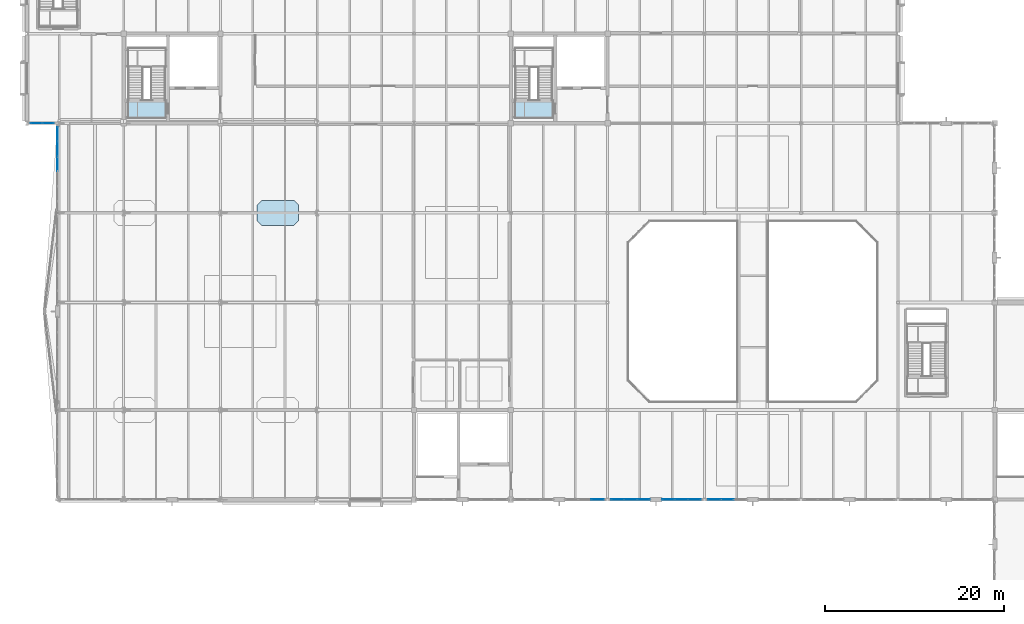
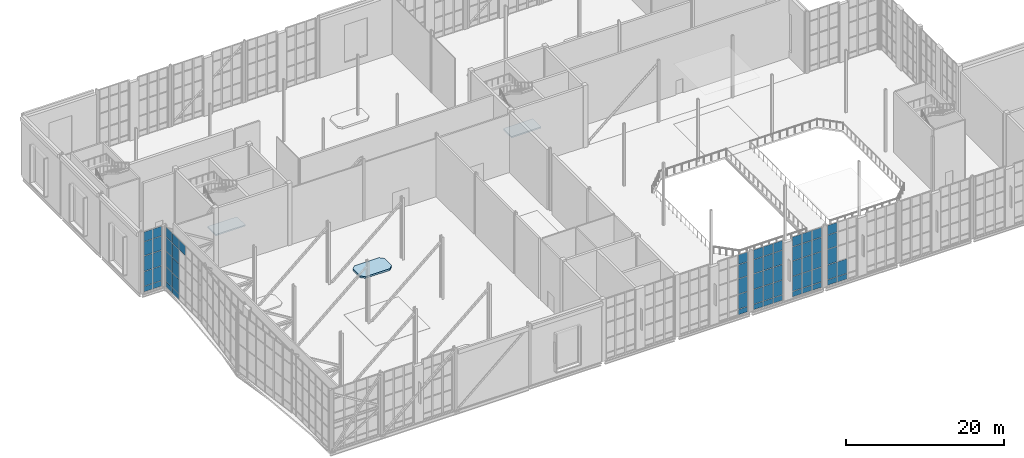
# One storey, part 65 of 100: 63 plates, 3 slabs, 8 elements without a shape of their own.
"""IFC4 building model written with IfcOpenShell, lengths in metres."""

import ifcopenshell
import ifcopenshell.guid

model = None  # the IFC model being written
_history = None  # IfcOwnerHistory: only IFC2X3 demands one
_inside = {}  # id of a spatial element -> (the spatial element, [elements in it])
_under = {}  # id of a project, library or spatial element -> (it, [spatial elements below it])
_declared = {}  # id of a project -> (the project, [libraries it declares])
_typed = {}  # id of a type object -> (the type object, [elements of that type])
_made_of = {}  # id of a material, layer set ... -> (it, [elements and type objects made of it])


def new_model(schema):
    """Start an empty IFC model of exactly this schema.

    Asked for "IFC4X3", IfcOpenShell would pick the latest addendum, in which some entities
    have other attributes; the version numbers below select the first issue.
    IFC2X3 requires an IfcOwnerHistory on every rooted entity: one is made here for all.
    """
    global model, _history
    if schema == "IFC4X3":
        model = ifcopenshell.file(schema_version=(4, 3, 0, 0))
    else:
        model = ifcopenshell.file(schema=schema)
    _inside.clear()
    _under.clear()
    _declared.clear()
    _typed.clear()
    _made_of.clear()
    _history = None
    if model.schema == "IFC2X3":
        org = make("IfcOrganization", Name="unknown")
        user = make(
            "IfcPersonAndOrganization",
            ThePerson=make("IfcPerson", FamilyName="unknown"),
            TheOrganization=org,
        )
        app = make(
            "IfcApplication",
            ApplicationDeveloper=org,
            Version="unknown",
            ApplicationFullName="unknown",
            ApplicationIdentifier="unknown",
        )
        _history = make(
            "IfcOwnerHistory",
            OwningUser=user,
            OwningApplication=app,
            ChangeAction="ADDED",
            CreationDate=0,
        )
    return model


def make(cls, **values):
    """One entity of the class cls with the attributes given. An attribute that is None is left unset."""
    return model.create_entity(
        cls, **{name: value for name, value in values.items() if value is not None}
    )


def rooted(cls, **values):
    """An entity with a GlobalId (a new one), such as an element, a storey or a relation."""
    return make(cls, GlobalId=ifcopenshell.guid.new(), OwnerHistory=_history, **values)


def si_unit(unit_type, name, prefix=None):
    """IfcSIUnit, for example si_unit("LENGTHUNIT", "METRE", prefix="MILLI")."""
    return make("IfcSIUnit", UnitType=unit_type, Prefix=prefix, Name=name)


def assignment(units):
    """IfcUnitAssignment: the units of a project."""
    return None if units is None else make("IfcUnitAssignment", Units=units)


def point(xyz):
    """IfcCartesianPoint."""
    return None if xyz is None else make("IfcCartesianPoint", Coordinates=xyz)


def direction(xyz):
    """IfcDirection."""
    return None if xyz is None else make("IfcDirection", DirectionRatios=xyz)


def frame(location, z_axis=None, x_axis=None):
    """IfcAxis2Placement3D, a coordinate frame: its origin and axes. An axis left out is left unset."""
    return make(
        "IfcAxis2Placement3D",
        Location=point(location),
        Axis=direction(z_axis),
        RefDirection=direction(x_axis),
    )


def frame_2d(location, x_axis=None):
    """IfcAxis2Placement2D, a coordinate frame in the plane: its origin and x axis."""
    return make(
        "IfcAxis2Placement2D", Location=point(location), RefDirection=direction(x_axis)
    )


def origin():
    """The frame at (0, 0, 0) with its axes left unset."""
    return frame((0.0, 0.0, 0.0))


def origin_2d():
    """The frame at (0, 0) in the plane with its x axis left unset."""
    return frame_2d((0.0, 0.0))


def place(relative_to, where):
    """IfcLocalPlacement: puts the frame where relative to a parent placement (None: the world)."""
    return make(
        "IfcLocalPlacement", PlacementRelTo=relative_to, RelativePlacement=where
    )


def context(
    kind, dimensions, precision=None, world=None, true_north=None, identifier=None
):
    """IfcGeometricRepresentationContext, for example the 3D "Model" context."""
    return make(
        "IfcGeometricRepresentationContext",
        ContextIdentifier=identifier,
        ContextType=kind,
        CoordinateSpaceDimension=dimensions,
        Precision=precision,
        WorldCoordinateSystem=world,
        TrueNorth=true_north,
    )


def subcontext(parent, identifier, kind, view, scale=None):
    """IfcGeometricRepresentationSubContext, for example "Body" below "Model"."""
    return make(
        "IfcGeometricRepresentationSubContext",
        ContextIdentifier=identifier,
        ContextType=kind,
        ParentContext=parent,
        TargetScale=scale,
        TargetView=view,
    )


def project(units=None, contexts=None):
    """IfcProject with its units and contexts."""
    return rooted(
        "IfcProject",
        Name="project",
        RepresentationContexts=contexts,
        UnitsInContext=assignment(units),
    )


def spatial(cls, under=None, at=None, **own):
    """A site, building, storey or space (cls), placed at a placement, below another one or the project."""
    s = rooted(cls, ObjectPlacement=at, **own)
    if under is not None:
        _under.setdefault(under.id(), (under, []))[1].append(s)
    return s


def polyline(points):
    """IfcPolyline through the points."""
    return make("IfcPolyline", Points=[point(p) for p in points])


def profile(cls, at=None, kind="AREA", **sizes):
    """A parametric profile (cls). Its sizes go by their IFC names, for example OverallWidth=200.0."""
    return make(cls, ProfileType=kind, Position=at, **sizes)


def rectangle(**sizes):
    """IfcRectangleProfileDef."""
    return profile("IfcRectangleProfileDef", **sizes)


def outline(outer, holes=None, kind="AREA"):
    """IfcArbitraryClosedProfileDef: a profile drawn as a closed curve; with holes, ...WithVoids."""
    if holes is None:
        return make("IfcArbitraryClosedProfileDef", ProfileType=kind, OuterCurve=outer)
    return make(
        "IfcArbitraryProfileDefWithVoids",
        ProfileType=kind,
        OuterCurve=outer,
        InnerCurves=holes,
    )


def extrude(swept, where, along, depth):
    """IfcExtrudedAreaSolid: the profile swept, set in the frame where, extruded along a direction by depth."""
    return make(
        "IfcExtrudedAreaSolid",
        SweptArea=swept,
        Position=where,
        ExtrudedDirection=direction(along),
        Depth=depth,
    )


def shape(context_of_items, identifier, shape_type, items):
    """IfcShapeRepresentation: the items that make up one representation, for example the "Body"."""
    return make(
        "IfcShapeRepresentation",
        ContextOfItems=context_of_items,
        RepresentationIdentifier=identifier,
        RepresentationType=shape_type,
        Items=items,
    )


def material(Name=None, Category=None):
    """IfcMaterial."""
    return make("IfcMaterial", Name=Name, Category=Category)


def layer(
    of_material, thickness, ventilated=None, Name=None, Category=None, Priority=None
):
    """IfcMaterialLayer: one layer of a wall or slab, of a material (None: an air gap)."""
    return make(
        "IfcMaterialLayer",
        Material=of_material,
        LayerThickness=thickness,
        IsVentilated=ventilated,
        Name=Name,
        Category=Category,
        Priority=Priority,
    )


def layer_set(layers, Name=None):
    """IfcMaterialLayerSet."""
    return make("IfcMaterialLayerSet", MaterialLayers=layers, LayerSetName=Name)


def made_of(thing, what):
    """Note that an element or type object is made of a material, layer set ...; save() writes the relation."""
    if what is not None:
        _made_of.setdefault(what.id(), (what, []))[1].append(thing)
    return thing


def type_object(cls, material=None, **own):
    """A type object (cls), such as IfcWallType, which elements share."""
    return made_of(rooted(cls, **own), material)


def element(
    cls,
    number,
    at=None,
    inside=None,
    cuts=None,
    type_object=None,
    material=None,
    context=None,
    identifier="Body",
    shape_type=None,
    held_by="IfcProductDefinitionShape",
    body=None,
    shapes=None,
    **own,
):
    """One element of the class cls, such as IfcWall. Its Tag is "e" and its number.

    at: its placement. inside: the storey or other place that contains it. cuts: it is an
    opening in that element (IfcRelVoidsElement). A single representation is given by context,
    identifier, shape_type and body (its items); several are given by shapes. held_by: the class
    of the entity that holds the representations. save() writes the other relations.
    """
    e = rooted(cls, Tag="e%d" % number, ObjectPlacement=at, **own)
    if body is not None:
        shapes = [shape(context, identifier, shape_type, body)]
    if shapes is not None:
        e.Representation = make(held_by, Representations=shapes)
    if inside is not None:
        _inside.setdefault(inside.id(), (inside, []))[1].append(e)
    if cuts is not None:
        rooted(
            "IfcRelVoidsElement", RelatingBuildingElement=cuts, RelatedOpeningElement=e
        )
    if type_object is not None:
        _typed.setdefault(type_object.id(), (type_object, []))[1].append(e)
    return made_of(e, material)


def aggregate(whole, parts):
    """IfcRelAggregates: a whole, such as a stair, and the parts it consists of."""
    return rooted("IfcRelAggregates", RelatingObject=whole, RelatedObjects=parts)


def save(model, path):
    """Write the relations noted so far, then the file.

    IfcRelAggregates (storeys below a building ...), IfcRelContainedInSpatialStructure (elements
    in a storey), IfcRelDefinesByType, IfcRelAssociatesMaterial and IfcRelDeclares: one each for
    every whole, place, type object, material and project.
    """
    for whole, parts in _under.values():
        aggregate(whole, parts)
    for where, things in _inside.values():
        rooted(
            "IfcRelContainedInSpatialStructure",
            RelatedElements=things,
            RelatingStructure=where,
        )
    for kind, things in _typed.values():
        rooted("IfcRelDefinesByType", RelatedObjects=things, RelatingType=kind)
    for what, things in _made_of.values():
        rooted("IfcRelAssociatesMaterial", RelatedObjects=things, RelatingMaterial=what)
    for by, libraries in _declared.values():
        rooted("IfcRelDeclares", RelatingContext=by, RelatedDefinitions=libraries)
    model.write(path)


model = new_model("IFC4")

# Units and contexts
model_context = context("Model", 3, precision=1e-05, world=origin(), true_north=direction((0.0, 1.0)))
body_context = subcontext(model_context, "Body", "Model", "MODEL_VIEW")
ifc_project = project(units=[si_unit("LENGTHUNIT", "METRE"), si_unit("AREAUNIT", "SQUARE_METRE"), si_unit("VOLUMEUNIT", "CUBIC_METRE"), si_unit("PLANEANGLEUNIT", "RADIAN"), si_unit("MASSUNIT", "GRAM", prefix="KILO")], contexts=[model_context])

# Site, building, storey
site_placement = place(None, origin())
site = spatial("IfcSite", under=ifc_project, at=site_placement, CompositionType="ELEMENT")
building_placement = place(site_placement, origin())
building = spatial("IfcBuilding", under=site, at=building_placement, Name="Tasgan Crest Museum", CompositionType="ELEMENT")
storey_placement = place(building_placement, frame((0.0, 0.0, 14.39990234375)))
storey = spatial("IfcBuildingStorey", under=building, at=storey_placement, Name="L03", CompositionType="ELEMENT", Elevation=14.39990234375)

# Curtain wall, plates
ifc_material_1 = material(Name="Triple-Glazed Aluminium Curtain Wall", Category="aluminium")
ifc_layer_1 = layer(ifc_material_1, 0.179931640625, Name="CW-CANT-SIDE-96")
ifc_layer_set_1 = layer_set([ifc_layer_1], Name="Triple-Glazed Aluminium Curtain Wall")
curtain_wall_type_1 = type_object("IfcCurtainWallType", Name="CW-CANT-SIDE-96", PredefinedType="NOTDEFINED", material=ifc_layer_set_1)
curtain_wall_1_placement = place(storey_placement, origin())
curtain_wall_1 = element("IfcCurtainWall", 1, at=curtain_wall_1_placement, inside=storey, type_object=curtain_wall_type_1, Name="Curtain wall L03 137", PredefinedType="NOTDEFINED")
ifc_material_2 = material(Name="Insulated Spandrel Glass", Category="glass")
ifc_layer_2 = layer(ifc_material_2, 0.052001953125, Name="CW-PANEL-SPANDREL")
ifc_layer_set_2 = layer_set([ifc_layer_2], Name="Insulated Spandrel Glass")
plate_type_1 = type_object("IfcPlateType", Name="CW-PANEL-SPANDREL", PredefinedType="CURTAIN_PANEL", material=ifc_layer_set_2)
plate_1_placement = place(storey_placement, frame((1.047607421875, 82.0, 0.06005859375), z_axis=(0.0, 0.0, 1.0), x_axis=(1.0, 0.0, 0.0)))
plate_1 = element("IfcPlate", 2, at=plate_1_placement, type_object=plate_type_1, Name="CW12 panel 1.1", PredefinedType="CURTAIN_PANEL", context=body_context, shape_type="SweptSolid", body=[
    extrude(rectangle(XDim=1.2451171875, YDim=0.028076171875, at=origin_2d()), origin(), (0.0, 0.0, 1.0), 0.81005859375),
])
plate_2_placement = place(storey_placement, frame((2.3525390625, 82.0, 0.06005859375), z_axis=(0.0, 0.0, 1.0), x_axis=(1.0, 0.0, 0.0)))
plate_2 = element("IfcPlate", 3, at=plate_2_placement, type_object=plate_type_1, Name="CW12 panel 2.1", PredefinedType="CURTAIN_PANEL", context=body_context, shape_type="SweptSolid", body=[
    extrude(rectangle(XDim=1.2451171875, YDim=0.028076171875, at=origin_2d()), origin(), (0.0, 0.0, 1.0), 0.81005859375),
])

ifc_material_3 = material(Name="Triple-Glazed Aluminium Curtain Wall", Category="aluminium")
ifc_layer_3 = layer(ifc_material_3, 0.179931640625, Name="CW-CANT-TIP-96")
ifc_layer_set_3 = layer_set([ifc_layer_3], Name="Triple-Glazed Aluminium Curtain Wall")
curtain_wall_type_2 = type_object("IfcCurtainWallType", Name="CW-CANT-TIP-96", PredefinedType="NOTDEFINED", material=ifc_layer_set_3)
curtain_wall_2_placement = place(storey_placement, origin())
curtain_wall_2 = element("IfcCurtainWall", 4, at=curtain_wall_2_placement, inside=storey, type_object=curtain_wall_type_2, Name="Curtain wall L03 138", PredefinedType="NOTDEFINED")
plate_3_placement = place(storey_placement, frame((3.39990234375, 80.787109375, 0.06005859375), z_axis=(0.0, 0.0, 1.0), x_axis=(0.0, -1.0, 0.0)))
plate_3 = element("IfcPlate", 5, at=plate_3_placement, type_object=plate_type_1, Name="CW10 panel 1.1", PredefinedType="CURTAIN_PANEL", context=body_context, shape_type="SweptSolid", body=[
    extrude(rectangle(XDim=1.575927734375, YDim=0.028076171875, at=origin_2d()), origin(), (0.0, 0.0, 1.0), 0.81005859375),
])
plate_4_placement = place(storey_placement, frame((3.39990234375, 79.13623046875, 0.06005859375), z_axis=(0.0, 0.0, 1.0), x_axis=(0.0, -1.0, 0.0)))
plate_4 = element("IfcPlate", 6, at=plate_4_placement, type_object=plate_type_1, Name="CW10 panel 2.1", PredefinedType="CURTAIN_PANEL", context=body_context, shape_type="SweptSolid", body=[
    extrude(rectangle(XDim=1.605712890625, YDim=0.028076171875, at=origin_2d()), origin(), (0.0, 0.0, 1.0), 0.81005859375),
])

# Curtain wall, plate
ifc_material_4 = material(Name="Triple-Glazed Aluminium Curtain Wall", Category="aluminium")
ifc_layer_4 = layer(ifc_material_4, 0.179931640625, Name="CW-DRUM-X-96")
ifc_layer_set_4 = layer_set([ifc_layer_4], Name="Triple-Glazed Aluminium Curtain Wall")
curtain_wall_type_3 = type_object("IfcCurtainWallType", Name="CW-DRUM-X-96", PredefinedType="NOTDEFINED", material=ifc_layer_set_4)
curtain_wall_3_placement = place(storey_placement, origin())
curtain_wall_3 = element("IfcCurtainWall", 7, at=curtain_wall_3_placement, inside=storey, type_object=curtain_wall_type_3, Name="Curtain wall L03 146", PredefinedType="NOTDEFINED")
plate_5_placement = place(storey_placement, frame((63.688232421875, 40.0, 0.06005859375), z_axis=(0.0, 0.0, 1.0), x_axis=(1.0, 0.0, 0.0)))
plate_5 = element("IfcPlate", 8, at=plate_5_placement, type_object=plate_type_1, Name="CW06 panel 3.1", PredefinedType="CURTAIN_PANEL", context=body_context, shape_type="SweptSolid", body=[
    extrude(rectangle(XDim=1.373291015625, YDim=0.028076171875, at=origin_2d()), origin(), (0.0, 0.0, 1.0), 0.81005859375),
])

# Curtain wall, plates
curtain_wall_4_placement = place(storey_placement, origin())
curtain_wall_4 = element("IfcCurtainWall", 9, at=curtain_wall_4_placement, inside=storey, type_object=curtain_wall_type_3, Name="Curtain wall L03 147", PredefinedType="NOTDEFINED")
plate_6_placement = place(storey_placement, frame((65.91162109375, 40.0, 0.06005859375), z_axis=(0.0, 0.0, 1.0), x_axis=(1.0, 0.0, 0.0)))
plate_6 = element("IfcPlate", 10, at=plate_6_placement, type_object=plate_type_1, Name="CW06 panel 1.1", PredefinedType="CURTAIN_PANEL", context=body_context, shape_type="SweptSolid", body=[
    extrude(rectangle(XDim=1.373291015625, YDim=0.028076171875, at=origin_2d()), origin(), (0.0, 0.0, 1.0), 0.81005859375),
])
plate_7_placement = place(storey_placement, frame((67.360107421875, 40.0, 0.06005859375), z_axis=(0.0, 0.0, 1.0), x_axis=(1.0, 0.0, 0.0)))
plate_7 = element("IfcPlate", 11, at=plate_7_placement, type_object=plate_type_1, Name="CW06 panel 2.1", PredefinedType="CURTAIN_PANEL", context=body_context, shape_type="SweptSolid", body=[
    extrude(rectangle(XDim=1.4033203125, YDim=0.028076171875, at=origin_2d()), origin(), (0.0, 0.0, 1.0), 0.81005859375),
])
plate_8_placement = place(storey_placement, frame((68.808349609375, 40.0, 0.06005859375), z_axis=(0.0, 0.0, 1.0), x_axis=(1.0, 0.0, 0.0)))
plate_8 = element("IfcPlate", 12, at=plate_8_placement, type_object=plate_type_1, Name="CW06 panel 3.1", PredefinedType="CURTAIN_PANEL", context=body_context, shape_type="SweptSolid", body=[
    extrude(rectangle(XDim=1.373291015625, YDim=0.028076171875, at=origin_2d()), origin(), (0.0, 0.0, 1.0), 0.81005859375),
])

curtain_wall_5_placement = place(storey_placement, origin())
curtain_wall_5 = element("IfcCurtainWall", 13, at=curtain_wall_5_placement, inside=storey, type_object=curtain_wall_type_3, Name="Curtain wall L03 148", PredefinedType="NOTDEFINED")
plate_9_placement = place(storey_placement, frame((71.591552734375, 40.0, 0.06005859375), z_axis=(0.0, 0.0, 1.0), x_axis=(1.0, 0.0, 0.0)))
plate_9 = element("IfcPlate", 14, at=plate_9_placement, type_object=plate_type_1, Name="CW06 panel 1.1", PredefinedType="CURTAIN_PANEL", context=body_context, shape_type="SweptSolid", body=[
    extrude(rectangle(XDim=1.373291015625, YDim=0.028076171875, at=origin_2d()), origin(), (0.0, 0.0, 1.0), 0.81005859375),
])
plate_10_placement = place(storey_placement, frame((73.0400390625, 40.0, 0.06005859375), z_axis=(0.0, 0.0, 1.0), x_axis=(1.0, 0.0, 0.0)))
plate_10 = element("IfcPlate", 15, at=plate_10_placement, type_object=plate_type_1, Name="CW06 panel 2.1", PredefinedType="CURTAIN_PANEL", context=body_context, shape_type="SweptSolid", body=[
    extrude(rectangle(XDim=1.4033203125, YDim=0.028076171875, at=origin_2d()), origin(), (0.0, 0.0, 1.0), 0.81005859375),
])
plate_11_placement = place(storey_placement, frame((74.48828125, 40.0, 0.06005859375), z_axis=(0.0, 0.0, 1.0), x_axis=(1.0, 0.0, 0.0)))
plate_11 = element("IfcPlate", 16, at=plate_11_placement, type_object=plate_type_1, Name="CW06 panel 3.1", PredefinedType="CURTAIN_PANEL", context=body_context, shape_type="SweptSolid", body=[
    extrude(rectangle(XDim=1.373291015625, YDim=0.028076171875, at=origin_2d()), origin(), (0.0, 0.0, 1.0), 0.81005859375),
])

curtain_wall_6_placement = place(storey_placement, origin())
curtain_wall_6 = element("IfcCurtainWall", 17, at=curtain_wall_6_placement, inside=storey, type_object=curtain_wall_type_3, Name="Curtain wall L03 149", PredefinedType="NOTDEFINED")
plate_12_placement = place(storey_placement, frame((76.711669921875, 40.0, 0.06005859375), z_axis=(0.0, 0.0, 1.0), x_axis=(1.0, 0.0, 0.0)))
plate_12 = element("IfcPlate", 18, at=plate_12_placement, type_object=plate_type_1, Name="CW06 panel 1.1", PredefinedType="CURTAIN_PANEL", context=body_context, shape_type="SweptSolid", body=[
    extrude(rectangle(XDim=1.373291015625, YDim=0.028076171875, at=origin_2d()), origin(), (0.0, 0.0, 1.0), 0.81005859375),
])
plate_13_placement = place(storey_placement, frame((78.159912109375, 40.0, 0.06005859375), z_axis=(0.0, 0.0, 1.0), x_axis=(1.0, 0.0, 0.0)))
plate_13 = element("IfcPlate", 19, at=plate_13_placement, type_object=plate_type_1, Name="CW06 panel 2.1", PredefinedType="CURTAIN_PANEL", context=body_context, shape_type="SweptSolid", body=[
    extrude(rectangle(XDim=1.4033203125, YDim=0.028076171875, at=origin_2d()), origin(), (0.0, 0.0, 1.0), 0.81005859375),
])

# Plate
ifc_material_5 = material(Name="Low-E Triple Glazing", Category="glass")
ifc_layer_5 = layer(ifc_material_5, 0.0439453125, Name="CW-PANEL-TRIPLE")
ifc_layer_set_5 = layer_set([ifc_layer_5], Name="Low-E Triple Glazing")
plate_type_2 = type_object("IfcPlateType", Name="CW-PANEL-TRIPLE", PredefinedType="CURTAIN_PANEL", material=ifc_layer_set_5)
plate_14_placement = place(storey_placement, frame((1.047607421875, 82.0, 0.93017578125), z_axis=(0.0, 0.0, 1.0), x_axis=(1.0, 0.0, 0.0)))
plate_14 = element("IfcPlate", 20, at=plate_14_placement, type_object=plate_type_2, Name="CW12 panel 1.2", PredefinedType="CURTAIN_PANEL", context=body_context, shape_type="SweptSolid", body=[
    extrude(rectangle(XDim=1.2451171875, YDim=0.028076171875, at=origin_2d()), origin(), (0.0, 0.0, 1.0), 2.239990234375),
])

plate_15_placement = place(storey_placement, frame((1.047607421875, 82.0, 3.22998046875), z_axis=(0.0, 0.0, 1.0), x_axis=(1.0, 0.0, 0.0)))
plate_15 = element("IfcPlate", 21, at=plate_15_placement, type_object=plate_type_2, Name="CW12 panel 1.3", PredefinedType="CURTAIN_PANEL", context=body_context, shape_type="SweptSolid", body=[
    extrude(rectangle(XDim=1.2451171875, YDim=0.028076171875, at=origin_2d()), origin(), (0.0, 0.0, 1.0), 2.340087890625),
])

plate_16_placement = place(storey_placement, frame((1.047607421875, 82.0, 5.63037109375), z_axis=(0.0, 0.0, 1.0), x_axis=(1.0, 0.0, 0.0)))
plate_16 = element("IfcPlate", 22, at=plate_16_placement, type_object=plate_type_2, Name="CW12 panel 1.4", PredefinedType="CURTAIN_PANEL", context=body_context, shape_type="SweptSolid", body=[
    extrude(rectangle(XDim=1.2451171875, YDim=0.028076171875, at=origin_2d()), origin(), (0.0, 0.0, 1.0), 2.139892578125),
])

plate_17_placement = place(storey_placement, frame((1.047607421875, 82.0, 7.830078125), z_axis=(0.0, 0.0, 1.0), x_axis=(1.0, 0.0, 0.0)))
plate_17 = element("IfcPlate", 23, at=plate_17_placement, type_object=plate_type_2, Name="CW12 panel 1.5", PredefinedType="CURTAIN_PANEL", context=body_context, shape_type="SweptSolid", body=[
    extrude(rectangle(XDim=1.2451171875, YDim=0.028076171875, at=origin_2d()), origin(), (0.0, 0.0, 1.0), 1.469970703125),
])

plate_18_placement = place(storey_placement, frame((2.3525390625, 82.0, 0.93017578125), z_axis=(0.0, 0.0, 1.0), x_axis=(1.0, 0.0, 0.0)))
plate_18 = element("IfcPlate", 24, at=plate_18_placement, type_object=plate_type_2, Name="CW12 panel 2.2", PredefinedType="CURTAIN_PANEL", context=body_context, shape_type="SweptSolid", body=[
    extrude(rectangle(XDim=1.2451171875, YDim=0.028076171875, at=origin_2d()), origin(), (0.0, 0.0, 1.0), 2.239990234375),
])

plate_19_placement = place(storey_placement, frame((2.3525390625, 82.0, 3.22998046875), z_axis=(0.0, 0.0, 1.0), x_axis=(1.0, 0.0, 0.0)))
plate_19 = element("IfcPlate", 25, at=plate_19_placement, type_object=plate_type_2, Name="CW12 panel 2.3", PredefinedType="CURTAIN_PANEL", context=body_context, shape_type="SweptSolid", body=[
    extrude(rectangle(XDim=1.2451171875, YDim=0.028076171875, at=origin_2d()), origin(), (0.0, 0.0, 1.0), 2.340087890625),
])

plate_20_placement = place(storey_placement, frame((2.3525390625, 82.0, 5.63037109375), z_axis=(0.0, 0.0, 1.0), x_axis=(1.0, 0.0, 0.0)))
plate_20 = element("IfcPlate", 26, at=plate_20_placement, type_object=plate_type_2, Name="CW12 panel 2.4", PredefinedType="CURTAIN_PANEL", context=body_context, shape_type="SweptSolid", body=[
    extrude(rectangle(XDim=1.2451171875, YDim=0.028076171875, at=origin_2d()), origin(), (0.0, 0.0, 1.0), 2.139892578125),
])

plate_21_placement = place(storey_placement, frame((2.3525390625, 82.0, 7.830078125), z_axis=(0.0, 0.0, 1.0), x_axis=(1.0, 0.0, 0.0)))
plate_21 = element("IfcPlate", 27, at=plate_21_placement, type_object=plate_type_2, Name="CW12 panel 2.5", PredefinedType="CURTAIN_PANEL", context=body_context, shape_type="SweptSolid", body=[
    extrude(rectangle(XDim=1.2451171875, YDim=0.028076171875, at=origin_2d()), origin(), (0.0, 0.0, 1.0), 1.469970703125),
])

aggregate(curtain_wall_1, [plate_1, plate_14, plate_15, plate_16, plate_17, plate_2, plate_18, plate_19, plate_20, plate_21])

plate_22_placement = place(storey_placement, frame((3.39990234375, 80.787109375, 0.93017578125), z_axis=(0.0, 0.0, 1.0), x_axis=(0.0, -1.0, 0.0)))
plate_22 = element("IfcPlate", 28, at=plate_22_placement, type_object=plate_type_2, Name="CW10 panel 1.2", PredefinedType="CURTAIN_PANEL", context=body_context, shape_type="SweptSolid", body=[
    extrude(rectangle(XDim=1.575927734375, YDim=0.028076171875, at=origin_2d()), origin(), (0.0, 0.0, 1.0), 2.239990234375),
])

plate_23_placement = place(storey_placement, frame((3.39990234375, 80.787109375, 3.22998046875), z_axis=(0.0, 0.0, 1.0), x_axis=(0.0, -1.0, 0.0)))
plate_23 = element("IfcPlate", 29, at=plate_23_placement, type_object=plate_type_2, Name="CW10 panel 1.3", PredefinedType="CURTAIN_PANEL", context=body_context, shape_type="SweptSolid", body=[
    extrude(rectangle(XDim=1.575927734375, YDim=0.028076171875, at=origin_2d()), origin(), (0.0, 0.0, 1.0), 2.340087890625),
])

plate_24_placement = place(storey_placement, frame((3.39990234375, 80.787109375, 5.63037109375), z_axis=(0.0, 0.0, 1.0), x_axis=(0.0, -1.0, 0.0)))
plate_24 = element("IfcPlate", 30, at=plate_24_placement, type_object=plate_type_2, Name="CW10 panel 1.4", PredefinedType="CURTAIN_PANEL", context=body_context, shape_type="SweptSolid", body=[
    extrude(rectangle(XDim=1.575927734375, YDim=0.028076171875, at=origin_2d()), origin(), (0.0, 0.0, 1.0), 2.139892578125),
])

plate_25_placement = place(storey_placement, frame((3.39990234375, 80.787109375, 7.830078125), z_axis=(0.0, 0.0, 1.0), x_axis=(0.0, -1.0, 0.0)))
plate_25 = element("IfcPlate", 31, at=plate_25_placement, type_object=plate_type_2, Name="CW10 panel 1.5", PredefinedType="CURTAIN_PANEL", context=body_context, shape_type="SweptSolid", body=[
    extrude(rectangle(XDim=1.575927734375, YDim=0.028076171875, at=origin_2d()), origin(), (0.0, 0.0, 1.0), 1.469970703125),
])

plate_26_placement = place(storey_placement, frame((3.39990234375, 79.13623046875, 0.93017578125), z_axis=(0.0, 0.0, 1.0), x_axis=(0.0, -1.0, 0.0)))
plate_26 = element("IfcPlate", 32, at=plate_26_placement, type_object=plate_type_2, Name="CW10 panel 2.2", PredefinedType="CURTAIN_PANEL", context=body_context, shape_type="SweptSolid", body=[
    extrude(rectangle(XDim=1.605712890625, YDim=0.028076171875, at=origin_2d()), origin(), (0.0, 0.0, 1.0), 2.239990234375),
])

plate_27_placement = place(storey_placement, frame((3.39990234375, 79.13623046875, 3.22998046875), z_axis=(0.0, 0.0, 1.0), x_axis=(0.0, -1.0, 0.0)))
plate_27 = element("IfcPlate", 33, at=plate_27_placement, type_object=plate_type_2, Name="CW10 panel 2.3", PredefinedType="CURTAIN_PANEL", context=body_context, shape_type="SweptSolid", body=[
    extrude(rectangle(XDim=1.605712890625, YDim=0.028076171875, at=origin_2d()), origin(), (0.0, 0.0, 1.0), 2.340087890625),
])

plate_28_placement = place(storey_placement, frame((3.39990234375, 79.13623046875, 5.63037109375), z_axis=(0.0, 0.0, 1.0), x_axis=(0.0, -1.0, 0.0)))
plate_28 = element("IfcPlate", 34, at=plate_28_placement, type_object=plate_type_2, Name="CW10 panel 2.4", PredefinedType="CURTAIN_PANEL", context=body_context, shape_type="SweptSolid", body=[
    extrude(rectangle(XDim=1.605712890625, YDim=0.028076171875, at=origin_2d()), origin(), (0.0, 0.0, 1.0), 2.139892578125),
])

plate_29_placement = place(storey_placement, frame((3.39990234375, 79.13623046875, 7.830078125), z_axis=(0.0, 0.0, 1.0), x_axis=(0.0, -1.0, 0.0)))
plate_29 = element("IfcPlate", 35, at=plate_29_placement, type_object=plate_type_2, Name="CW10 panel 2.5", PredefinedType="CURTAIN_PANEL", context=body_context, shape_type="SweptSolid", body=[
    extrude(rectangle(XDim=1.605712890625, YDim=0.028076171875, at=origin_2d()), origin(), (0.0, 0.0, 1.0), 1.469970703125),
])

plate_30_placement = place(storey_placement, frame((3.39990234375, 77.470458984375, 7.830078125), z_axis=(0.0, 0.0, 1.0), x_axis=(0.0, -1.0, 0.0)))
plate_30 = element("IfcPlate", 36, at=plate_30_placement, type_object=plate_type_2, Name="CW10 panel 3.5", PredefinedType="CURTAIN_PANEL", context=body_context, shape_type="SweptSolid", body=[
    extrude(rectangle(XDim=1.605712890625, YDim=0.028076171875, at=origin_2d()), origin(), (0.0, 0.0, 1.0), 1.469970703125),
])

aggregate(curtain_wall_2, [plate_3, plate_22, plate_23, plate_24, plate_25, plate_4, plate_26, plate_27, plate_28, plate_29, plate_30])

plate_31_placement = place(storey_placement, frame((63.688232421875, 40.0, 0.93017578125), z_axis=(0.0, 0.0, 1.0), x_axis=(1.0, 0.0, 0.0)))
plate_31 = element("IfcPlate", 37, at=plate_31_placement, type_object=plate_type_2, Name="CW06 panel 3.2", PredefinedType="CURTAIN_PANEL", context=body_context, shape_type="SweptSolid", body=[
    extrude(rectangle(XDim=1.373291015625, YDim=0.028076171875, at=origin_2d()), origin(), (0.0, 0.0, 1.0), 2.239990234375),
])

plate_32_placement = place(storey_placement, frame((63.688232421875, 40.0, 3.22998046875), z_axis=(0.0, 0.0, 1.0), x_axis=(1.0, 0.0, 0.0)))
plate_32 = element("IfcPlate", 38, at=plate_32_placement, type_object=plate_type_2, Name="CW06 panel 3.3", PredefinedType="CURTAIN_PANEL", context=body_context, shape_type="SweptSolid", body=[
    extrude(rectangle(XDim=1.373291015625, YDim=0.028076171875, at=origin_2d()), origin(), (0.0, 0.0, 1.0), 2.340087890625),
])

plate_33_placement = place(storey_placement, frame((63.688232421875, 40.0, 5.63037109375), z_axis=(0.0, 0.0, 1.0), x_axis=(1.0, 0.0, 0.0)))
plate_33 = element("IfcPlate", 39, at=plate_33_placement, type_object=plate_type_2, Name="CW06 panel 3.4", PredefinedType="CURTAIN_PANEL", context=body_context, shape_type="SweptSolid", body=[
    extrude(rectangle(XDim=1.373291015625, YDim=0.028076171875, at=origin_2d()), origin(), (0.0, 0.0, 1.0), 2.139892578125),
])

plate_34_placement = place(storey_placement, frame((63.688232421875, 40.0, 7.830078125), z_axis=(0.0, 0.0, 1.0), x_axis=(1.0, 0.0, 0.0)))
plate_34 = element("IfcPlate", 40, at=plate_34_placement, type_object=plate_type_2, Name="CW06 panel 3.5", PredefinedType="CURTAIN_PANEL", context=body_context, shape_type="SweptSolid", body=[
    extrude(rectangle(XDim=1.373291015625, YDim=0.028076171875, at=origin_2d()), origin(), (0.0, 0.0, 1.0), 1.469970703125),
])

aggregate(curtain_wall_3, [plate_5, plate_31, plate_32, plate_33, plate_34])

plate_35_placement = place(storey_placement, frame((65.91162109375, 40.0, 0.93017578125), z_axis=(0.0, 0.0, 1.0), x_axis=(1.0, 0.0, 0.0)))
plate_35 = element("IfcPlate", 41, at=plate_35_placement, type_object=plate_type_2, Name="CW06 panel 1.2", PredefinedType="CURTAIN_PANEL", context=body_context, shape_type="SweptSolid", body=[
    extrude(rectangle(XDim=1.373291015625, YDim=0.028076171875, at=origin_2d()), origin(), (0.0, 0.0, 1.0), 2.239990234375),
])

plate_36_placement = place(storey_placement, frame((65.91162109375, 40.0, 3.22998046875), z_axis=(0.0, 0.0, 1.0), x_axis=(1.0, 0.0, 0.0)))
plate_36 = element("IfcPlate", 42, at=plate_36_placement, type_object=plate_type_2, Name="CW06 panel 1.3", PredefinedType="CURTAIN_PANEL", context=body_context, shape_type="SweptSolid", body=[
    extrude(rectangle(XDim=1.373291015625, YDim=0.028076171875, at=origin_2d()), origin(), (0.0, 0.0, 1.0), 2.340087890625),
])

plate_37_placement = place(storey_placement, frame((65.91162109375, 40.0, 5.63037109375), z_axis=(0.0, 0.0, 1.0), x_axis=(1.0, 0.0, 0.0)))
plate_37 = element("IfcPlate", 43, at=plate_37_placement, type_object=plate_type_2, Name="CW06 panel 1.4", PredefinedType="CURTAIN_PANEL", context=body_context, shape_type="SweptSolid", body=[
    extrude(rectangle(XDim=1.373291015625, YDim=0.028076171875, at=origin_2d()), origin(), (0.0, 0.0, 1.0), 2.139892578125),
])

plate_38_placement = place(storey_placement, frame((65.91162109375, 40.0, 7.830078125), z_axis=(0.0, 0.0, 1.0), x_axis=(1.0, 0.0, 0.0)))
plate_38 = element("IfcPlate", 44, at=plate_38_placement, type_object=plate_type_2, Name="CW06 panel 1.5", PredefinedType="CURTAIN_PANEL", context=body_context, shape_type="SweptSolid", body=[
    extrude(rectangle(XDim=1.373291015625, YDim=0.028076171875, at=origin_2d()), origin(), (0.0, 0.0, 1.0), 1.469970703125),
])

plate_39_placement = place(storey_placement, frame((67.360107421875, 40.0, 0.93017578125), z_axis=(0.0, 0.0, 1.0), x_axis=(1.0, 0.0, 0.0)))
plate_39 = element("IfcPlate", 45, at=plate_39_placement, type_object=plate_type_2, Name="CW06 panel 2.2", PredefinedType="CURTAIN_PANEL", context=body_context, shape_type="SweptSolid", body=[
    extrude(rectangle(XDim=1.4033203125, YDim=0.028076171875, at=origin_2d()), origin(), (0.0, 0.0, 1.0), 2.239990234375),
])

plate_40_placement = place(storey_placement, frame((67.360107421875, 40.0, 3.22998046875), z_axis=(0.0, 0.0, 1.0), x_axis=(1.0, 0.0, 0.0)))
plate_40 = element("IfcPlate", 46, at=plate_40_placement, type_object=plate_type_2, Name="CW06 panel 2.3", PredefinedType="CURTAIN_PANEL", context=body_context, shape_type="SweptSolid", body=[
    extrude(rectangle(XDim=1.4033203125, YDim=0.028076171875, at=origin_2d()), origin(), (0.0, 0.0, 1.0), 2.340087890625),
])

plate_41_placement = place(storey_placement, frame((67.360107421875, 40.0, 5.63037109375), z_axis=(0.0, 0.0, 1.0), x_axis=(1.0, 0.0, 0.0)))
plate_41 = element("IfcPlate", 47, at=plate_41_placement, type_object=plate_type_2, Name="CW06 panel 2.4", PredefinedType="CURTAIN_PANEL", context=body_context, shape_type="SweptSolid", body=[
    extrude(rectangle(XDim=1.4033203125, YDim=0.028076171875, at=origin_2d()), origin(), (0.0, 0.0, 1.0), 2.139892578125),
])

plate_42_placement = place(storey_placement, frame((67.360107421875, 40.0, 7.830078125), z_axis=(0.0, 0.0, 1.0), x_axis=(1.0, 0.0, 0.0)))
plate_42 = element("IfcPlate", 48, at=plate_42_placement, type_object=plate_type_2, Name="CW06 panel 2.5", PredefinedType="CURTAIN_PANEL", context=body_context, shape_type="SweptSolid", body=[
    extrude(rectangle(XDim=1.4033203125, YDim=0.028076171875, at=origin_2d()), origin(), (0.0, 0.0, 1.0), 1.469970703125),
])

plate_43_placement = place(storey_placement, frame((68.808349609375, 40.0, 0.93017578125), z_axis=(0.0, 0.0, 1.0), x_axis=(1.0, 0.0, 0.0)))
plate_43 = element("IfcPlate", 49, at=plate_43_placement, type_object=plate_type_2, Name="CW06 panel 3.2", PredefinedType="CURTAIN_PANEL", context=body_context, shape_type="SweptSolid", body=[
    extrude(rectangle(XDim=1.373291015625, YDim=0.028076171875, at=origin_2d()), origin(), (0.0, 0.0, 1.0), 2.239990234375),
])

plate_44_placement = place(storey_placement, frame((68.808349609375, 40.0, 3.22998046875), z_axis=(0.0, 0.0, 1.0), x_axis=(1.0, 0.0, 0.0)))
plate_44 = element("IfcPlate", 50, at=plate_44_placement, type_object=plate_type_2, Name="CW06 panel 3.3", PredefinedType="CURTAIN_PANEL", context=body_context, shape_type="SweptSolid", body=[
    extrude(rectangle(XDim=1.373291015625, YDim=0.028076171875, at=origin_2d()), origin(), (0.0, 0.0, 1.0), 2.340087890625),
])

plate_45_placement = place(storey_placement, frame((68.808349609375, 40.0, 5.63037109375), z_axis=(0.0, 0.0, 1.0), x_axis=(1.0, 0.0, 0.0)))
plate_45 = element("IfcPlate", 51, at=plate_45_placement, type_object=plate_type_2, Name="CW06 panel 3.4", PredefinedType="CURTAIN_PANEL", context=body_context, shape_type="SweptSolid", body=[
    extrude(rectangle(XDim=1.373291015625, YDim=0.028076171875, at=origin_2d()), origin(), (0.0, 0.0, 1.0), 2.139892578125),
])

plate_46_placement = place(storey_placement, frame((68.808349609375, 40.0, 7.830078125), z_axis=(0.0, 0.0, 1.0), x_axis=(1.0, 0.0, 0.0)))
plate_46 = element("IfcPlate", 52, at=plate_46_placement, type_object=plate_type_2, Name="CW06 panel 3.5", PredefinedType="CURTAIN_PANEL", context=body_context, shape_type="SweptSolid", body=[
    extrude(rectangle(XDim=1.373291015625, YDim=0.028076171875, at=origin_2d()), origin(), (0.0, 0.0, 1.0), 1.469970703125),
])

aggregate(curtain_wall_4, [plate_6, plate_35, plate_36, plate_37, plate_38, plate_7, plate_39, plate_40, plate_41, plate_42, plate_8, plate_43, plate_44, plate_45, plate_46])

plate_47_placement = place(storey_placement, frame((71.591552734375, 40.0, 0.93017578125), z_axis=(0.0, 0.0, 1.0), x_axis=(1.0, 0.0, 0.0)))
plate_47 = element("IfcPlate", 53, at=plate_47_placement, type_object=plate_type_2, Name="CW06 panel 1.2", PredefinedType="CURTAIN_PANEL", context=body_context, shape_type="SweptSolid", body=[
    extrude(rectangle(XDim=1.373291015625, YDim=0.028076171875, at=origin_2d()), origin(), (0.0, 0.0, 1.0), 2.239990234375),
])

plate_48_placement = place(storey_placement, frame((71.591552734375, 40.0, 3.22998046875), z_axis=(0.0, 0.0, 1.0), x_axis=(1.0, 0.0, 0.0)))
plate_48 = element("IfcPlate", 54, at=plate_48_placement, type_object=plate_type_2, Name="CW06 panel 1.3", PredefinedType="CURTAIN_PANEL", context=body_context, shape_type="SweptSolid", body=[
    extrude(rectangle(XDim=1.373291015625, YDim=0.028076171875, at=origin_2d()), origin(), (0.0, 0.0, 1.0), 2.340087890625),
])

plate_49_placement = place(storey_placement, frame((71.591552734375, 40.0, 5.63037109375), z_axis=(0.0, 0.0, 1.0), x_axis=(1.0, 0.0, 0.0)))
plate_49 = element("IfcPlate", 55, at=plate_49_placement, type_object=plate_type_2, Name="CW06 panel 1.4", PredefinedType="CURTAIN_PANEL", context=body_context, shape_type="SweptSolid", body=[
    extrude(rectangle(XDim=1.373291015625, YDim=0.028076171875, at=origin_2d()), origin(), (0.0, 0.0, 1.0), 2.139892578125),
])

plate_50_placement = place(storey_placement, frame((71.591552734375, 40.0, 7.830078125), z_axis=(0.0, 0.0, 1.0), x_axis=(1.0, 0.0, 0.0)))
plate_50 = element("IfcPlate", 56, at=plate_50_placement, type_object=plate_type_2, Name="CW06 panel 1.5", PredefinedType="CURTAIN_PANEL", context=body_context, shape_type="SweptSolid", body=[
    extrude(rectangle(XDim=1.373291015625, YDim=0.028076171875, at=origin_2d()), origin(), (0.0, 0.0, 1.0), 1.469970703125),
])

plate_51_placement = place(storey_placement, frame((73.0400390625, 40.0, 0.93017578125), z_axis=(0.0, 0.0, 1.0), x_axis=(1.0, 0.0, 0.0)))
plate_51 = element("IfcPlate", 57, at=plate_51_placement, type_object=plate_type_2, Name="CW06 panel 2.2", PredefinedType="CURTAIN_PANEL", context=body_context, shape_type="SweptSolid", body=[
    extrude(rectangle(XDim=1.4033203125, YDim=0.028076171875, at=origin_2d()), origin(), (0.0, 0.0, 1.0), 2.239990234375),
])

plate_52_placement = place(storey_placement, frame((73.0400390625, 40.0, 3.22998046875), z_axis=(0.0, 0.0, 1.0), x_axis=(1.0, 0.0, 0.0)))
plate_52 = element("IfcPlate", 58, at=plate_52_placement, type_object=plate_type_2, Name="CW06 panel 2.3", PredefinedType="CURTAIN_PANEL", context=body_context, shape_type="SweptSolid", body=[
    extrude(rectangle(XDim=1.4033203125, YDim=0.028076171875, at=origin_2d()), origin(), (0.0, 0.0, 1.0), 2.340087890625),
])

plate_53_placement = place(storey_placement, frame((73.0400390625, 40.0, 5.63037109375), z_axis=(0.0, 0.0, 1.0), x_axis=(1.0, 0.0, 0.0)))
plate_53 = element("IfcPlate", 59, at=plate_53_placement, type_object=plate_type_2, Name="CW06 panel 2.4", PredefinedType="CURTAIN_PANEL", context=body_context, shape_type="SweptSolid", body=[
    extrude(rectangle(XDim=1.4033203125, YDim=0.028076171875, at=origin_2d()), origin(), (0.0, 0.0, 1.0), 2.139892578125),
])

plate_54_placement = place(storey_placement, frame((73.0400390625, 40.0, 7.830078125), z_axis=(0.0, 0.0, 1.0), x_axis=(1.0, 0.0, 0.0)))
plate_54 = element("IfcPlate", 60, at=plate_54_placement, type_object=plate_type_2, Name="CW06 panel 2.5", PredefinedType="CURTAIN_PANEL", context=body_context, shape_type="SweptSolid", body=[
    extrude(rectangle(XDim=1.4033203125, YDim=0.028076171875, at=origin_2d()), origin(), (0.0, 0.0, 1.0), 1.469970703125),
])

plate_55_placement = place(storey_placement, frame((74.48828125, 40.0, 0.93017578125), z_axis=(0.0, 0.0, 1.0), x_axis=(1.0, 0.0, 0.0)))
plate_55 = element("IfcPlate", 61, at=plate_55_placement, type_object=plate_type_2, Name="CW06 panel 3.2", PredefinedType="CURTAIN_PANEL", context=body_context, shape_type="SweptSolid", body=[
    extrude(rectangle(XDim=1.373291015625, YDim=0.028076171875, at=origin_2d()), origin(), (0.0, 0.0, 1.0), 2.239990234375),
])

plate_56_placement = place(storey_placement, frame((74.48828125, 40.0, 3.22998046875), z_axis=(0.0, 0.0, 1.0), x_axis=(1.0, 0.0, 0.0)))
plate_56 = element("IfcPlate", 62, at=plate_56_placement, type_object=plate_type_2, Name="CW06 panel 3.3", PredefinedType="CURTAIN_PANEL", context=body_context, shape_type="SweptSolid", body=[
    extrude(rectangle(XDim=1.373291015625, YDim=0.028076171875, at=origin_2d()), origin(), (0.0, 0.0, 1.0), 2.340087890625),
])

plate_57_placement = place(storey_placement, frame((74.48828125, 40.0, 5.63037109375), z_axis=(0.0, 0.0, 1.0), x_axis=(1.0, 0.0, 0.0)))
plate_57 = element("IfcPlate", 63, at=plate_57_placement, type_object=plate_type_2, Name="CW06 panel 3.4", PredefinedType="CURTAIN_PANEL", context=body_context, shape_type="SweptSolid", body=[
    extrude(rectangle(XDim=1.373291015625, YDim=0.028076171875, at=origin_2d()), origin(), (0.0, 0.0, 1.0), 2.139892578125),
])

plate_58_placement = place(storey_placement, frame((74.48828125, 40.0, 7.830078125), z_axis=(0.0, 0.0, 1.0), x_axis=(1.0, 0.0, 0.0)))
plate_58 = element("IfcPlate", 64, at=plate_58_placement, type_object=plate_type_2, Name="CW06 panel 3.5", PredefinedType="CURTAIN_PANEL", context=body_context, shape_type="SweptSolid", body=[
    extrude(rectangle(XDim=1.373291015625, YDim=0.028076171875, at=origin_2d()), origin(), (0.0, 0.0, 1.0), 1.469970703125),
])

aggregate(curtain_wall_5, [plate_9, plate_47, plate_48, plate_49, plate_50, plate_10, plate_51, plate_52, plate_53, plate_54, plate_11, plate_55, plate_56, plate_57, plate_58])

plate_59_placement = place(storey_placement, frame((76.711669921875, 40.0, 0.93017578125), z_axis=(0.0, 0.0, 1.0), x_axis=(1.0, 0.0, 0.0)))
plate_59 = element("IfcPlate", 65, at=plate_59_placement, type_object=plate_type_2, Name="CW06 panel 1.2", PredefinedType="CURTAIN_PANEL", context=body_context, shape_type="SweptSolid", body=[
    extrude(rectangle(XDim=1.373291015625, YDim=0.028076171875, at=origin_2d()), origin(), (0.0, 0.0, 1.0), 2.239990234375),
])

plate_60_placement = place(storey_placement, frame((76.711669921875, 40.0, 3.22998046875), z_axis=(0.0, 0.0, 1.0), x_axis=(1.0, 0.0, 0.0)))
plate_60 = element("IfcPlate", 66, at=plate_60_placement, type_object=plate_type_2, Name="CW06 panel 1.3", PredefinedType="CURTAIN_PANEL", context=body_context, shape_type="SweptSolid", body=[
    extrude(rectangle(XDim=1.373291015625, YDim=0.028076171875, at=origin_2d()), origin(), (0.0, 0.0, 1.0), 2.340087890625),
])

plate_61_placement = place(storey_placement, frame((76.711669921875, 40.0, 5.63037109375), z_axis=(0.0, 0.0, 1.0), x_axis=(1.0, 0.0, 0.0)))
plate_61 = element("IfcPlate", 67, at=plate_61_placement, type_object=plate_type_2, Name="CW06 panel 1.4", PredefinedType="CURTAIN_PANEL", context=body_context, shape_type="SweptSolid", body=[
    extrude(rectangle(XDim=1.373291015625, YDim=0.028076171875, at=origin_2d()), origin(), (0.0, 0.0, 1.0), 2.139892578125),
])

plate_62_placement = place(storey_placement, frame((76.711669921875, 40.0, 7.830078125), z_axis=(0.0, 0.0, 1.0), x_axis=(1.0, 0.0, 0.0)))
plate_62 = element("IfcPlate", 68, at=plate_62_placement, type_object=plate_type_2, Name="CW06 panel 1.5", PredefinedType="CURTAIN_PANEL", context=body_context, shape_type="SweptSolid", body=[
    extrude(rectangle(XDim=1.373291015625, YDim=0.028076171875, at=origin_2d()), origin(), (0.0, 0.0, 1.0), 1.469970703125),
])

plate_63_placement = place(storey_placement, frame((78.159912109375, 40.0, 0.93017578125), z_axis=(0.0, 0.0, 1.0), x_axis=(1.0, 0.0, 0.0)))
plate_63 = element("IfcPlate", 69, at=plate_63_placement, type_object=plate_type_2, Name="CW06 panel 2.2", PredefinedType="CURTAIN_PANEL", context=body_context, shape_type="SweptSolid", body=[
    extrude(rectangle(XDim=1.4033203125, YDim=0.028076171875, at=origin_2d()), origin(), (0.0, 0.0, 1.0), 2.239990234375),
])

aggregate(curtain_wall_6, [plate_12, plate_59, plate_60, plate_61, plate_62, plate_13, plate_63])

# Slab
ifc_material_6 = material(Name="Concrete C35/45", Category="concrete")
ifc_layer_6 = layer(ifc_material_6, 0.27001953125, Name="SL-DAIS-T08")
ifc_layer_set_6 = layer_set([ifc_layer_6], Name="Concrete C35/45")
slab_type_1 = type_object("IfcSlabType", Name="SL-DAIS-T08", PredefinedType="FLOOR", material=ifc_layer_set_6)
slab_1_placement = place(storey_placement, origin())
element("IfcSlab", 70, at=slab_1_placement, inside=storey, type_object=slab_type_1, Name="Exhibition specimen dais L03-28", PredefinedType="FLOOR", context=body_context, shape_type="SweptSolid", body=[
    extrude(outline(polyline([(26.199951171875, 70.60009765625), (29.800048828125, 70.60009765625), (30.300048828125, 71.10009765625), (30.300048828125, 72.89990234375), (29.800048828125, 73.39990234375), (26.199951171875, 73.39990234375), (25.699951171875, 72.89990234375), (25.699951171875, 71.10009765625), (26.199951171875, 70.60009765625)])), origin(), (0.0, 0.0, 1.0), 0.27001953125),
])

# Stair, slab
ifc_material_7 = material(Name="Concrete C35/45", Category="concrete")
stair_type = type_object("IfcStairType", Name="ST-CORE-96", PredefinedType="HALF_TURN_STAIR", material=ifc_material_7)
stair_1_placement = place(storey_placement, origin())
stair_1 = element("IfcStair", 71, at=stair_1_placement, inside=storey, type_object=stair_type, Name="Stair ST-NW-L03 L03", PredefinedType="HALF_TURN_STAIR")
ifc_material_8 = material(Name="Concrete C35/45", Category="concrete")
ifc_layer_7 = layer(ifc_material_8, 0.199951171875, Name="SL-LAND-200")
ifc_layer_set_7 = layer_set([ifc_layer_7], Name="Concrete C35/45")
slab_type_2 = type_object("IfcSlabType", Name="SL-LAND-200", PredefinedType="LANDING", material=ifc_layer_set_7)
slab_2_placement = place(storey_placement, frame((0.0, 0.0, 4.60009765625)))
slab_2 = element("IfcSlab", 72, at=slab_2_placement, type_object=slab_type_2, Name="ST-NW-L03 landing 2", PredefinedType="LANDING", context=body_context, shape_type="SweptSolid", body=[
    extrude(outline(polyline([(11.219970703125, 82.5), (15.530029296875, 82.5), (15.530029296875, 84.60009765625), (11.219970703125, 84.60009765625), (11.219970703125, 82.5)])), origin(), (0.0, 0.0, 1.0), 0.199951171875),
])
aggregate(stair_1, [slab_2])

stair_2_placement = place(storey_placement, origin())
stair_2 = element("IfcStair", 73, at=stair_2_placement, inside=storey, type_object=stair_type, Name="Stair ST-NC-L03 L03", PredefinedType="HALF_TURN_STAIR")
slab_3_placement = place(storey_placement, frame((0.0, 0.0, 4.60009765625)))
slab_3 = element("IfcSlab", 74, at=slab_3_placement, type_object=slab_type_2, Name="ST-NC-L03 landing 2", PredefinedType="LANDING", context=body_context, shape_type="SweptSolid", body=[
    extrude(outline(polyline([(54.419921875, 82.5), (58.72998046875, 82.5), (58.72998046875, 84.60009765625), (54.419921875, 84.60009765625), (54.419921875, 82.5)])), origin(), (0.0, 0.0, 1.0), 0.199951171875),
])
aggregate(stair_2, [slab_3])

save(model, "model.ifc")
